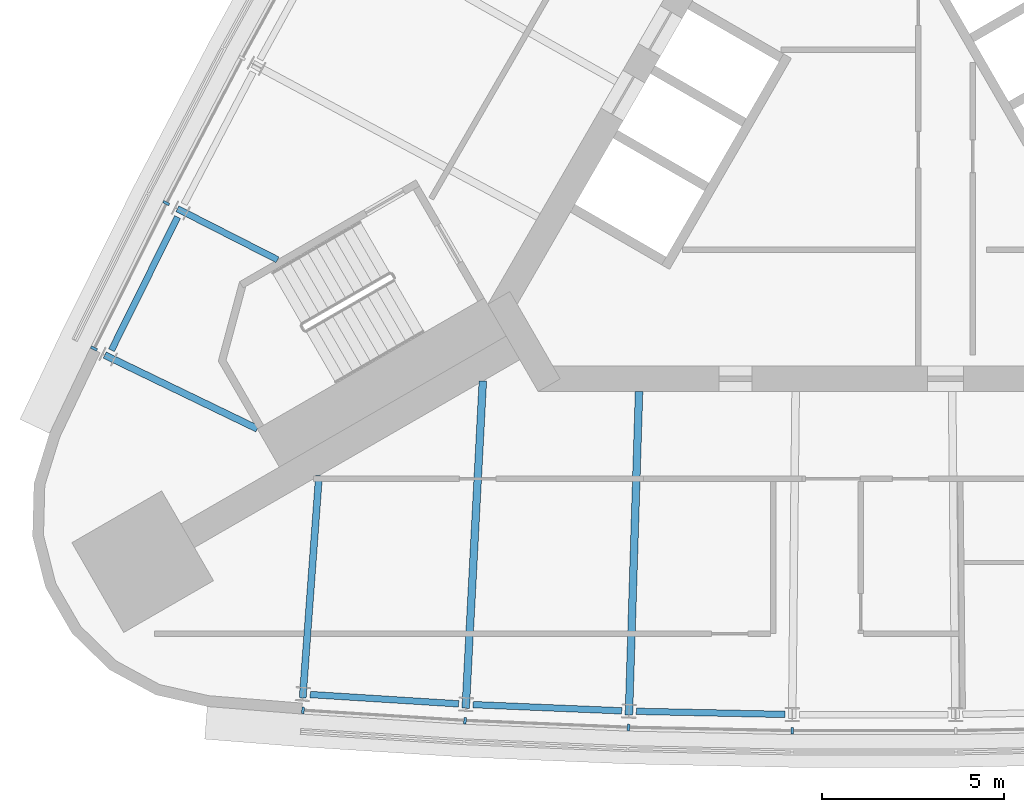
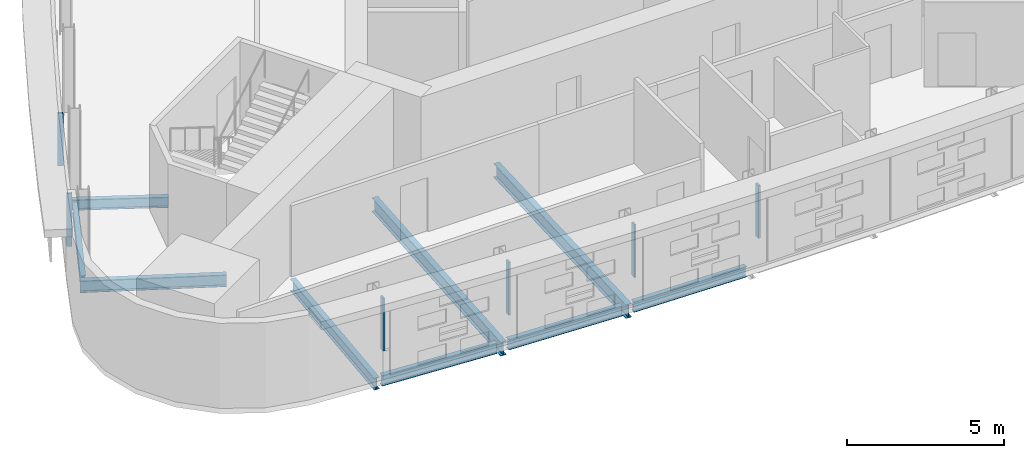
# One storey, part 2 of 12: 9 beams, 6 members, 2 elements without a shape of their own.
"""IFC4 building model written with IfcOpenShell, lengths in metres."""

from ifc_helpers import new_model, si_unit, direction, frame, origin, origin_2d, place, context, subcontext, project, spatial, rectangle, i_section, extrude, material, material_profile, profile_set, type_object, element, aggregate, save


model = new_model("IFC4")

# Units and contexts
model_context = context("Model", 3, precision=1e-05, world=origin(), true_north=direction((0.0, 1.0)))
body_context = subcontext(model_context, "Body", "Model", "MODEL_VIEW")
ifc_project = project(units=[si_unit("LENGTHUNIT", "METRE"), si_unit("AREAUNIT", "SQUARE_METRE"), si_unit("VOLUMEUNIT", "CUBIC_METRE"), si_unit("PLANEANGLEUNIT", "RADIAN"), si_unit("MASSUNIT", "GRAM", prefix="KILO")], contexts=[model_context])

# Site, building, storey
site_placement = place(None, origin())
site = spatial("IfcSite", under=ifc_project, at=site_placement, CompositionType="ELEMENT")
building_placement = place(site_placement, origin())
building = spatial("IfcBuilding", under=site, at=building_placement, Name="Noor Cloister Tower", CompositionType="ELEMENT")
storey_placement = place(building_placement, frame((0.0, 0.0, 165.300048828125)))
storey = spatial("IfcBuildingStorey", under=building, at=storey_placement, Name="L42", CompositionType="ELEMENT", Elevation=165.300048828125)

# Curtain wall, members
ifc_material_1 = material(Name="Aluminium 6063-T6 anodised", Category="aluminium")
curtain_wall_type = type_object("IfcCurtainWallType", Name="Ribbon curtain wall, upper tower CW5", PredefinedType="NOTDEFINED", material=ifc_material_1)
curtain_wall_1_placement = place(storey_placement, origin())
curtain_wall_1 = element("IfcCurtainWall", 1, at=curtain_wall_1_placement, inside=storey, type_object=curtain_wall_type, Name="CW5 L42 NW run 1", PredefinedType="NOTDEFINED")
ifc_material_2 = material(Name="Aluminium 6063-T6 anodised", Category="aluminium")
ifc_material_profile_1 = material_profile(ifc_material_2, rectangle(XDim=0.179931640625, YDim=0.070068359375, at=origin_2d()), Name="180 x 70 mullion")
ifc_profile_set_1 = profile_set([ifc_material_profile_1], Name="Aluminium 6063-T6 anodised")
member_type = type_object("IfcMemberType", Name="Mullion CW5 70 x 180", PredefinedType="MULLION", material=ifc_profile_set_1)
member_1_placement = place(storey_placement, frame((-19.45556640625, -1.74560546875, 1.099853515625), z_axis=(0.0, 0.0, 1.0), x_axis=(0.891009265748, -0.453985119086, 0.0)))
member_1 = element("IfcMember", 2, at=member_1_placement, type_object=member_type, Name="CW5 mullion 7", PredefinedType="MULLION", context=body_context, shape_type="SweptSolid", body=[
    extrude(rectangle(XDim=0.179931640625, YDim=0.070068359375, at=origin_2d()), origin(), (0.0, 0.0, 1.0), 2.050048828125),
])
member_2_placement = place(storey_placement, frame((-21.4404296875, -5.744140625, 1.099853515625), z_axis=(0.0, 0.0, 1.0), x_axis=(0.89571498076, -0.444628691429, 0.0)))
member_2 = element("IfcMember", 3, at=member_2_placement, type_object=member_type, Name="CW5 mullion 8", PredefinedType="MULLION", context=body_context, shape_type="SweptSolid", body=[
    extrude(rectangle(XDim=0.179931640625, YDim=0.070068359375, at=origin_2d()), origin(), (0.0, 0.0, 1.0), 2.050048828125),
])
aggregate(curtain_wall_1, [member_1, member_2])

curtain_wall_2_placement = place(storey_placement, origin())
curtain_wall_2 = element("IfcCurtainWall", 4, at=curtain_wall_2_placement, inside=storey, type_object=curtain_wall_type, Name="CW5 L42 S run 2", PredefinedType="NOTDEFINED")
member_3_placement = place(storey_placement, frame((-15.694580078125, -15.69580078125, 1.099853515625), z_axis=(0.0, 0.0, 1.0), x_axis=(0.062797748351, 0.998026273603, 0.0)))
member_3 = element("IfcMember", 5, at=member_3_placement, type_object=member_type, Name="CW5 mullion 1", PredefinedType="MULLION", context=body_context, shape_type="SweptSolid", body=[
    extrude(rectangle(XDim=0.179931640625, YDim=0.070068359375, at=origin_2d()), origin(), (0.0, 0.0, 1.0), 2.050048828125),
])
member_4_placement = place(storey_placement, frame((-11.23974609375, -15.97607421875, 1.099853515625), z_axis=(0.0, 0.0, 1.0), x_axis=(0.052341986805, 0.998629218688, 0.0)))
member_4 = element("IfcMember", 6, at=member_4_placement, type_object=member_type, Name="CW5 mullion 2", PredefinedType="MULLION", context=body_context, shape_type="SweptSolid", body=[
    extrude(rectangle(XDim=0.179931640625, YDim=0.070068359375, at=origin_2d()), origin(), (0.0, 0.0, 1.0), 2.050048828125),
])
member_5_placement = place(storey_placement, frame((-6.745849609375, -16.16455078125, 1.099853515625), z_axis=(0.0, 0.0, 1.0), x_axis=(0.031414387571, 0.999506446329, 0.0)))
member_5 = element("IfcMember", 7, at=member_5_placement, type_object=member_type, Name="CW5 mullion 3", PredefinedType="MULLION", context=body_context, shape_type="SweptSolid", body=[
    extrude(rectangle(XDim=0.179931640625, YDim=0.070068359375, at=origin_2d()), origin(), (0.0, 0.0, 1.0), 2.050048828125),
])
member_6_placement = place(storey_placement, frame((-2.2490234375, -16.2587890625, 1.099853515625), z_axis=(0.0, 0.0, 1.0), x_axis=(0.010472988327, 0.999945156754, 0.0)))
member_6 = element("IfcMember", 8, at=member_6_placement, type_object=member_type, Name="CW5 mullion 4", PredefinedType="MULLION", context=body_context, shape_type="SweptSolid", body=[
    extrude(rectangle(XDim=0.179931640625, YDim=0.070068359375, at=origin_2d()), origin(), (0.0, 0.0, 1.0), 2.050048828125),
])
aggregate(curtain_wall_2, [member_3, member_4, member_5, member_6])

# Beams
ifc_material_3 = material(Name="Steel ASTM A992 Gr 50", Category="steel")
ifc_material_profile_2 = material_profile(ifc_material_3, i_section(OverallWidth=0.177978515625, OverallDepth=0.406005859375, WebThickness=0.0078125, FlangeThickness=0.0126953125, FilletRadius=0.01025390625, at=origin_2d()), Name="W410x60")
ifc_profile_set_2 = profile_set([ifc_material_profile_2], Name="Steel ASTM A992 Gr 50")
beam_type_1 = type_object("IfcBeamType", Name="Radial beam W410x60", PredefinedType="BEAM", material=ifc_profile_set_2)
beam_1_placement = place(storey_placement, frame((-19.14990234375, -1.9013671875, -0.403076171875), z_axis=(0.89098946836, -0.454023972133, 0.0), x_axis=(0.454023972133, 0.89098946836, 0.0)))
element("IfcBeam", 9, at=beam_1_placement, inside=storey, type_object=beam_type_1, Name="Radial beam NW 07 L42", PredefinedType="BEAM", context=body_context, shape_type="SweptSolid", body=[
    extrude(i_section(OverallWidth=0.177978515625, OverallDepth=0.406005859375, WebThickness=0.0078125, FlangeThickness=0.0126953125, FilletRadius=0.01025390625, at=origin_2d()), origin(), (0.0, 0.0, 1.0), 3.09130859375),
])
ifc_material_4 = material(Name="Steel ASTM A992 Gr 50", Category="steel")
ifc_material_profile_3 = material_profile(ifc_material_4, i_section(OverallWidth=0.19091796875, OverallDepth=0.45703125, WebThickness=0.009033203125, FlangeThickness=0.014404296875, FilletRadius=0.01025390625, at=origin_2d()), Name="W460x74")
ifc_profile_set_3 = profile_set([ifc_material_profile_3], Name="Steel ASTM A992 Gr 50")
beam_type_2 = type_object("IfcBeamType", Name="Radial beam W460x74", PredefinedType="BEAM", material=ifc_profile_set_3)
beam_2_placement = place(storey_placement, frame((-21.146728515625, -5.923828125, -0.428466796875), z_axis=(0.900330817951, -0.435206179009, 0.0), x_axis=(0.435206179009, 0.900330817951, 0.0)))
element("IfcBeam", 10, at=beam_2_placement, inside=storey, type_object=beam_type_2, Name="Radial beam NW 08 L42", PredefinedType="BEAM", context=body_context, shape_type="SweptSolid", body=[
    extrude(i_section(OverallWidth=0.19091796875, OverallDepth=0.45703125, WebThickness=0.009033203125, FlangeThickness=0.014404296875, FilletRadius=0.01025390625, at=origin_2d()), origin(), (0.0, 0.0, 1.0), 4.659423828125),
])
beam_3_placement = place(storey_placement, frame((-15.703369140625, -15.3515625, -0.428466796875), z_axis=(0.073228877714, 0.997315161556, 0.0), x_axis=(-0.997315161556, 0.073228877714, 0.0)))
element("IfcBeam", 11, at=beam_3_placement, inside=storey, type_object=beam_type_2, Name="Radial beam S 01 L42", PredefinedType="BEAM", context=body_context, shape_type="SweptSolid", body=[
    extrude(i_section(OverallWidth=0.19091796875, OverallDepth=0.45703125, WebThickness=0.009033203125, FlangeThickness=0.014404296875, FilletRadius=0.01025390625, at=origin_2d()), origin(), (0.0, 0.0, 1.0), 6.127685546875),
])
ifc_material_5 = material(Name="Steel ASTM A992 Gr 50", Category="steel")
ifc_material_profile_4 = material_profile(ifc_material_5, i_section(OverallWidth=0.208984375, OverallDepth=0.532958984375, WebThickness=0.01025390625, FlangeThickness=0.015625, FilletRadius=0.0126953125, at=origin_2d()), Name="W530x92")
ifc_profile_set_4 = profile_set([ifc_material_profile_4], Name="Steel ASTM A992 Gr 50")
beam_type_3 = type_object("IfcBeamType", Name="Radial beam W530x92", PredefinedType="BEAM", material=ifc_profile_set_4)
beam_4_placement = place(storey_placement, frame((-11.2216796875, -15.633544921875, -0.466552734375), z_axis=(0.052345413135, 0.998629039095, 0.0), x_axis=(-0.998629039095, 0.052345413135, 0.0)))
element("IfcBeam", 12, at=beam_4_placement, inside=storey, type_object=beam_type_3, Name="Radial beam S 02 L42", PredefinedType="BEAM", context=body_context, shape_type="SweptSolid", body=[
    extrude(i_section(OverallWidth=0.208984375, OverallDepth=0.532958984375, WebThickness=0.01025390625, FlangeThickness=0.015625, FilletRadius=0.0126953125, at=origin_2d()), origin(), (0.0, 0.0, 1.0), 9.00634765625),
])
beam_5_placement = place(storey_placement, frame((-6.73486328125, -15.82177734375, -0.466552734375), z_axis=(0.031388939531, 0.999507245834, 0.0), x_axis=(-0.999507245834, 0.031388939531, 0.0)))
element("IfcBeam", 13, at=beam_5_placement, inside=storey, type_object=beam_type_3, Name="Radial beam S 03 L42", PredefinedType="BEAM", context=body_context, shape_type="SweptSolid", body=[
    extrude(i_section(OverallWidth=0.208984375, OverallDepth=0.532958984375, WebThickness=0.01025390625, FlangeThickness=0.015625, FilletRadius=0.0126953125, at=origin_2d()), origin(), (0.0, 0.0, 1.0), 8.89794921875),
])
ifc_material_6 = material(Name="Steel ASTM A992 Gr 50", Category="steel")
ifc_material_profile_5 = material_profile(ifc_material_6, i_section(OverallWidth=0.177978515625, OverallDepth=0.406005859375, WebThickness=0.0078125, FlangeThickness=0.0126953125, FilletRadius=0.01025390625, at=origin_2d()), Name="W410x60")
ifc_profile_set_5 = profile_set([ifc_material_profile_5], Name="Steel ASTM A992 Gr 50")
beam_type_4 = type_object("IfcBeamType", Name="Spandrel beam W410x60", PredefinedType="SPANDREL", material=ifc_profile_set_5)
beam_6_placement = place(storey_placement, frame((-19.143310546875, -2.128662109375, -0.403076171875), z_axis=(-0.444632770879, -0.895712955729, 0.0), x_axis=(0.895712955729, -0.444632770879, 0.0)))
element("IfcBeam", 14, at=beam_6_placement, inside=storey, type_object=beam_type_4, Name="Spandrel beam NW 07 L42", PredefinedType="SPANDREL", context=body_context, shape_type="SweptSolid", body=[
    extrude(i_section(OverallWidth=0.177978515625, OverallDepth=0.406005859375, WebThickness=0.0078125, FlangeThickness=0.0126953125, FilletRadius=0.01025390625, at=origin_2d()), origin(), (0.0, 0.0, 1.0), 4.089599609375),
])
beam_7_placement = place(storey_placement, frame((-15.49658203125, -15.257568359375, -0.403076171875), z_axis=(0.998029512808, -0.06274624741, 0.0), x_axis=(0.06274624741, 0.998029512808, 0.0)))
element("IfcBeam", 15, at=beam_7_placement, inside=storey, type_object=beam_type_4, Name="Spandrel beam S 01 L42", PredefinedType="SPANDREL", context=body_context, shape_type="SweptSolid", body=[
    extrude(i_section(OverallWidth=0.177978515625, OverallDepth=0.406005859375, WebThickness=0.0078125, FlangeThickness=0.0126953125, FilletRadius=0.01025390625, at=origin_2d()), origin(), (0.0, 0.0, 1.0), 4.08935546875),
])
for number, where, z_axis, x_axis, name in (
    (16, (-11.016845703125, -15.53515625, -0.403076171875), (0.99912394431, -0.041849061004, 0.0), (0.041849061004, 0.99912394431, 0.0), "Spandrel beam S 02 L42"),
    (17, (-6.5322265625, -15.718994140625, -0.403076171875), (0.999780432962, -0.020954375827, 0.0), (0.020954375827, 0.999780432962, 0.0), "Spandrel beam S 03 L42"),
):
    element("IfcBeam", number, at=place(storey_placement, frame(where, z_axis=z_axis, x_axis=x_axis)), inside=storey, type_object=beam_type_4, Name=name, PredefinedType="SPANDREL", context=body_context, shape_type="SweptSolid", body=[
        extrude(i_section(OverallWidth=0.177978515625, OverallDepth=0.406005859375, WebThickness=0.0078125, FlangeThickness=0.0126953125, FilletRadius=0.01025390625, at=origin_2d()), origin(), (0.0, 0.0, 1.0), 4.089599609375),
    ])

save(model, "model.ifc")
